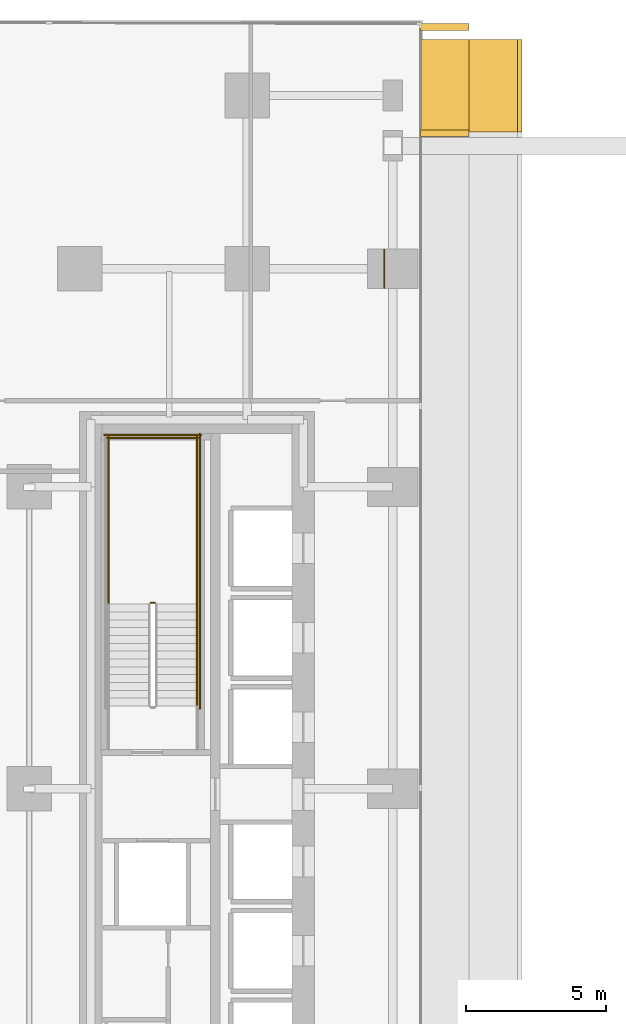
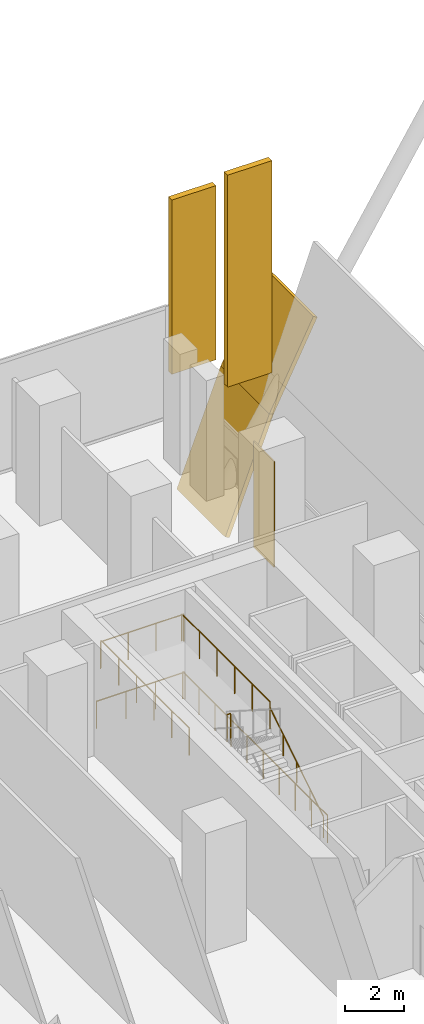
# One storey, part 29 of 31: 7 railings, 5 coverings.
"""IFC4 building model written with IfcOpenShell, lengths in metres."""

from ifc_helpers import new_model, si_unit, direction, frame, origin, origin_2d, place, context, subcontext, project, spatial, polyline, rectangle, circle, outline, extrude, material, layer, layer_set, type_object, element, save


model = new_model("IFC4")

# Units and contexts
model_context = context("Model", 3, precision=1e-05, world=origin(), true_north=direction((0.0, 1.0)))
body_context = subcontext(model_context, "Body", "Model", "MODEL_VIEW")
ifc_project = project(units=[si_unit("LENGTHUNIT", "METRE"), si_unit("AREAUNIT", "SQUARE_METRE"), si_unit("VOLUMEUNIT", "CUBIC_METRE"), si_unit("PLANEANGLEUNIT", "RADIAN"), si_unit("MASSUNIT", "GRAM", prefix="KILO")], contexts=[model_context])

# Site, building, storey
site_placement = place(None, origin())
site = spatial("IfcSite", under=ifc_project, at=site_placement, CompositionType="ELEMENT")
building_placement = place(site_placement, origin())
building = spatial("IfcBuilding", under=site, at=building_placement, Name="Khairoan Windgate Tower", CompositionType="ELEMENT")
storey_placement = place(building_placement, frame((0.0, 0.0, 6.0)))
storey = spatial("IfcBuildingStorey", under=building, at=storey_placement, Name="L02", CompositionType="ELEMENT", Elevation=6.0)

# Coverings
ifc_material_1 = material(Name="Anodised Bronze Aluminium 6063-T6", Category="aluminium")
ifc_layer_1 = layer(ifc_material_1, 0.0400390625, Name="Anodised Bronze Aluminium 6063-T6")
ifc_layer_set_1 = layer_set([ifc_layer_1], Name="Anodised Bronze Aluminium 6063-T6")
covering_type_1 = type_object("IfcCoveringType", Name="Anodised Bronze Arch Pier Cladding", PredefinedType="CLADDING", material=ifc_layer_set_1)
covering_1_placement = place(storey_placement, frame((-9.5, 18.60009765625, 0.0), z_axis=(0.0, 0.0, 1.0), x_axis=(1.0, 0.0, 0.0)))
element("IfcCovering", 1, at=covering_1_placement, inside=storey, type_object=covering_type_1, Name="L02 Arch Pier Bronze Cladding 03", PredefinedType="CLADDING", context=body_context, shape_type="SweptSolid", body=[
    extrude(rectangle(XDim=0.0400390625, YDim=1.39990234375, at=origin_2d()), origin(), (0.0, 0.0, 1.0), 4.39990234375),
])
ifc_material_2 = material(Name="Anodised Bronze Aluminium 6063-T6", Category="aluminium")
ifc_layer_2 = layer(ifc_material_2, 0.179931640625, Name="Anodised Bronze Aluminium 6063-T6")
ifc_layer_set_2 = layer_set([ifc_layer_2], Name="Anodised Bronze Aluminium 6063-T6")
covering_type_2 = type_object("IfcCoveringType", Name="Sculpted Parabolic Arch and Crown Cladding", PredefinedType="CLADDING", material=ifc_layer_set_2)
covering_2_placement = place(storey_placement, frame((-8.199951171875, 23.5, -2.60009765625), z_axis=(-0.933679946091, 0.0, 0.358108584465), x_axis=(0.358108584465, 0.0, 0.933679946091)))
element("IfcCovering", 2, at=covering_2_placement, inside=storey, type_object=covering_type_2, Name="Podium Parabolic Arch Mouth Vault N-01", PredefinedType="CLADDING", context=body_context, shape_type="SweptSolid", body=[
    extrude(outline(polyline([(0.0, 0.0), (4.830882430065925, 0.0), (4.830882430065925, 3.300048828125), (0.0, 3.300048828125), (0.0, 0.0)])), origin(), (0.0, 0.0, -1.0), 0.179931640625),
])
covering_3_placement = place(storey_placement, frame((-7.3349609375, 23.449951171875, 3.734375), z_axis=(0.0, 0.0, 1.0), x_axis=(1.0, 0.0, 0.0)))
element("IfcCovering", 3, at=covering_3_placement, inside=storey, type_object=covering_type_2, Name="Upper Parabolic Arch Tympanum Cladding N-01", PredefinedType="CLADDING", context=body_context, shape_type="SweptSolid", body=[
    extrude(rectangle(XDim=1.72998046875, YDim=0.239990234375, at=origin_2d()), origin(), (0.0, 0.0, 1.0), 8.805908203125),
])
covering_4_placement = place(storey_placement, frame((-7.3349609375, 27.25, 1.96044921875), z_axis=(0.0, 0.0, 1.0), x_axis=(1.0, 0.0, 0.0)))
element("IfcCovering", 4, at=covering_4_placement, inside=storey, type_object=covering_type_2, Name="Podium Parabolic Arch Tympanum Cladding N-01", PredefinedType="CLADDING", context=body_context, shape_type="SweptSolid", body=[
    extrude(rectangle(XDim=1.72998046875, YDim=0.239990234375, at=origin_2d()), origin(), (0.0, 0.0, 1.0), 7.239990234375),
])
covering_5_placement = place(storey_placement, frame((-6.469970703125, 23.5, 1.910400390625), z_axis=(-0.893729710261, 0.0, 0.448605845924), x_axis=(0.448605845924, 0.0, 0.893729710261)))
element("IfcCovering", 5, at=covering_5_placement, inside=storey, type_object=covering_type_2, Name="Podium Parabolic Arch Mouth Vault N-02", PredefinedType="CLADDING", context=body_context, shape_type="SweptSolid", body=[
    extrude(outline(polyline([(0.0, 0.0), (3.8563484726486457, 0.0), (3.8563484726486457, 3.300048828125), (0.0, 3.300048828125), (0.0, 0.0)])), origin(), (0.0, 0.0, -1.0), 0.179931640625),
])

# Railings
ifc_material_3 = material(Name="Anodised Bronze Aluminium 6063-T6", Category="aluminium")
railing_type_1 = type_object("IfcRailingType", Name="Stair Wall Handrail SHR-900", PredefinedType="HANDRAIL", material=ifc_material_3)
railing_1_placement = place(storey_placement, frame((-16.199951171875, 2.9599609375, 0.178466796875)))
element("IfcRailing", 6, at=railing_1_placement, inside=storey, type_object=railing_type_1, Name="L02 ST2 stair handrail 1", PredefinedType="HANDRAIL", context=body_context, shape_type="SweptSolid", body=[
    extrude(circle(Radius=0.02392578125, at=origin_2d()), frame((0.0, 0.0, 0.8759765625), z_axis=(0.0, 0.843127859045, 0.537713132908), x_axis=(-1.0, 0.0, 0.0)), (0.0, 0.0, 1.0), 4.3173828125),
    extrude(circle(Radius=0.02099609375, at=origin_2d()), origin(), (0.0, 0.0, 1.0), 0.851806640625),
    extrude(circle(Radius=0.02099609375, at=origin_2d()), frame((0.0, 0.91015625, 0.580322265625)), (0.0, 0.0, 1.0), 0.851806640625),
    extrude(circle(Radius=0.02099609375, at=origin_2d()), frame((0.0, 1.820068359375, 1.16064453125)), (0.0, 0.0, 1.0), 0.851806640625),
    extrude(circle(Radius=0.02099609375, at=origin_2d()), frame((0.0, 2.72998046875, 1.7412109375)), (0.0, 0.0, 1.0), 0.851806640625),
    extrude(circle(Radius=0.02099609375, at=origin_2d()), frame((0.0, 3.64013671875, 2.321533203125)), (0.0, 0.0, 1.0), 0.851806640625),
])
ifc_material_4 = material(Name="Steel S355", Category="steel")
railing_type_2 = type_object("IfcRailingType", Name="Stairwell Safety Guardrail SGR-1150", PredefinedType="GUARDRAIL", material=ifc_material_4)
railing_2_placement = place(storey_placement, frame((-17.7099609375, 6.64990234375, 2.5)))
element("IfcRailing", 7, at=railing_2_placement, inside=storey, type_object=railing_type_2, Name="L02 ST2 stair guard 2", PredefinedType="GUARDRAIL", context=body_context, shape_type="SweptSolid", body=[
    extrude(circle(Radius=0.02392578125, at=origin_2d()), frame((0.0, 0.0, 1.1259765625), z_axis=(-1.0, 0.0, 0.0), x_axis=(0.0, -1.0, 0.0)), (0.0, 0.0, 1.0), 0.150146484375),
    extrude(circle(Radius=0.02099609375, at=origin_2d()), origin(), (0.0, 0.0, 1.0), 1.101806640625),
    extrude(circle(Radius=0.02099609375, at=origin_2d()), frame((-0.150146484375, 0.0, 0.0)), (0.0, 0.0, 1.0), 1.101806640625),
])
for number, where, name in (
    (8, (-16.199951171875, 6.60009765625, 2.5), "L02 ST2 stair guard 3"),
    (9, (-19.3701171875, 6.60009765625, 2.5), "L02 ST2 stair guard 4"),
):
    element("IfcRailing", number, at=place(storey_placement, frame(where)), inside=storey, type_object=railing_type_2, Name=name, PredefinedType="GUARDRAIL", context=body_context, shape_type="SweptSolid", body=[
        extrude(circle(Radius=0.02392578125, at=origin_2d()), frame((0.0, 0.0, 1.1259765625), z_axis=(0.0, 1.0, 0.0), x_axis=(-1.0, 0.0, 0.0)), (0.0, 0.0, 1.0), 6.0),
        extrude(circle(Radius=0.02099609375, at=origin_2d()), origin(), (0.0, 0.0, 1.0), 1.101806640625),
        extrude(circle(Radius=0.02099609375, at=origin_2d()), frame((0.0, 1.199951171875, 0.0)), (0.0, 0.0, 1.0), 1.101806640625),
        extrude(circle(Radius=0.02099609375, at=origin_2d()), frame((0.0, 2.39990234375, 0.0)), (0.0, 0.0, 1.0), 1.101806640625),
        extrude(circle(Radius=0.02099609375, at=origin_2d()), frame((0.0, 3.60009765625, 0.0)), (0.0, 0.0, 1.0), 1.101806640625),
        extrude(circle(Radius=0.02099609375, at=origin_2d()), frame((0.0, 4.800048828125, 0.0)), (0.0, 0.0, 1.0), 1.101806640625),
        extrude(circle(Radius=0.02099609375, at=origin_2d()), frame((0.0, 6.0, 0.0)), (0.0, 0.0, 1.0), 1.101806640625),
    ])
railing_3_placement = place(storey_placement, frame((-16.14990234375, 12.550048828125, 2.5)))
element("IfcRailing", 10, at=railing_3_placement, inside=storey, type_object=railing_type_2, Name="L02 ST2 stair guard 5", PredefinedType="GUARDRAIL", context=body_context, shape_type="SweptSolid", body=[
    extrude(circle(Radius=0.02392578125, at=origin_2d()), frame((0.0, 0.0, 1.1259765625), z_axis=(-1.0, 0.0, 0.0), x_axis=(0.0, -1.0, 0.0)), (0.0, 0.0, 1.0), 3.27001953125),
    extrude(circle(Radius=0.02099609375, at=origin_2d()), origin(), (0.0, 0.0, 1.0), 1.101806640625),
    extrude(circle(Radius=0.02099609375, at=origin_2d()), frame((-1.090087890625, 0.0, 0.0)), (0.0, 0.0, 1.0), 1.101806640625),
    extrude(circle(Radius=0.02099609375, at=origin_2d()), frame((-2.179931640625, 0.0, 0.0)), (0.0, 0.0, 1.0), 1.101806640625),
    extrude(circle(Radius=0.02099609375, at=origin_2d()), frame((-3.27001953125, 0.0, 0.0)), (0.0, 0.0, 1.0), 1.101806640625),
])
railing_4_placement = place(storey_placement, frame((-16.10009765625, 2.860107421875, 0.0)))
element("IfcRailing", 11, at=railing_4_placement, inside=storey, type_object=railing_type_2, Name="L02 ST2 stair guard 10", PredefinedType="GUARDRAIL", context=body_context, shape_type="SweptSolid", body=[
    extrude(circle(Radius=0.02392578125, at=origin_2d()), frame((0.0, 0.0, 1.1259765625), z_axis=(0.0, 1.0, 0.0), x_axis=(-1.0, 0.0, 0.0)), (0.0, 0.0, 1.0), 9.83984375),
    extrude(circle(Radius=0.02099609375, at=origin_2d()), origin(), (0.0, 0.0, 1.0), 1.101806640625),
    extrude(circle(Radius=0.02099609375, at=origin_2d()), frame((0.0, 1.09326171875, 0.0)), (0.0, 0.0, 1.0), 1.101806640625),
    extrude(circle(Radius=0.02099609375, at=origin_2d()), frame((0.0, 2.1865234375, 0.0)), (0.0, 0.0, 1.0), 1.101806640625),
    extrude(circle(Radius=0.02099609375, at=origin_2d()), frame((0.0, 3.280029296875, 0.0)), (0.0, 0.0, 1.0), 1.101806640625),
    extrude(circle(Radius=0.02099609375, at=origin_2d()), frame((0.0, 4.373291015625, 0.0)), (0.0, 0.0, 1.0), 1.101806640625),
    extrude(circle(Radius=0.02099609375, at=origin_2d()), frame((0.0, 5.466552734375, 0.0)), (0.0, 0.0, 1.0), 1.101806640625),
    extrude(circle(Radius=0.02099609375, at=origin_2d()), frame((0.0, 6.559814453125, 0.0)), (0.0, 0.0, 1.0), 1.101806640625),
    extrude(circle(Radius=0.02099609375, at=origin_2d()), frame((0.0, 7.6533203125, 0.0)), (0.0, 0.0, 1.0), 1.101806640625),
    extrude(circle(Radius=0.02099609375, at=origin_2d()), frame((0.0, 8.74658203125, 0.0)), (0.0, 0.0, 1.0), 1.101806640625),
    extrude(circle(Radius=0.02099609375, at=origin_2d()), frame((0.0, 9.83984375, 0.0)), (0.0, 0.0, 1.0), 1.101806640625),
])
railing_5_placement = place(storey_placement, frame((-16.050048828125, 12.64990234375, 0.0)))
element("IfcRailing", 12, at=railing_5_placement, inside=storey, type_object=railing_type_2, Name="L02 ST2 stair guard 12", PredefinedType="GUARDRAIL", context=body_context, shape_type="SweptSolid", body=[
    extrude(circle(Radius=0.02392578125, at=origin_2d()), frame((0.0, 0.0, 1.1259765625), z_axis=(-1.0, 0.0, 0.0), x_axis=(0.0, -1.0, 0.0)), (0.0, 0.0, 1.0), 3.469970703125),
    extrude(circle(Radius=0.02099609375, at=origin_2d()), origin(), (0.0, 0.0, 1.0), 1.101806640625),
    extrude(circle(Radius=0.02099609375, at=origin_2d()), frame((-1.15673828125, 0.0, 0.0)), (0.0, 0.0, 1.0), 1.101806640625),
    extrude(circle(Radius=0.02099609375, at=origin_2d()), frame((-2.313232421875, 0.0, 0.0)), (0.0, 0.0, 1.0), 1.101806640625),
    extrude(circle(Radius=0.02099609375, at=origin_2d()), frame((-3.469970703125, 0.0, 0.0)), (0.0, 0.0, 1.0), 1.101806640625),
])

save(model, "model.ifc")
